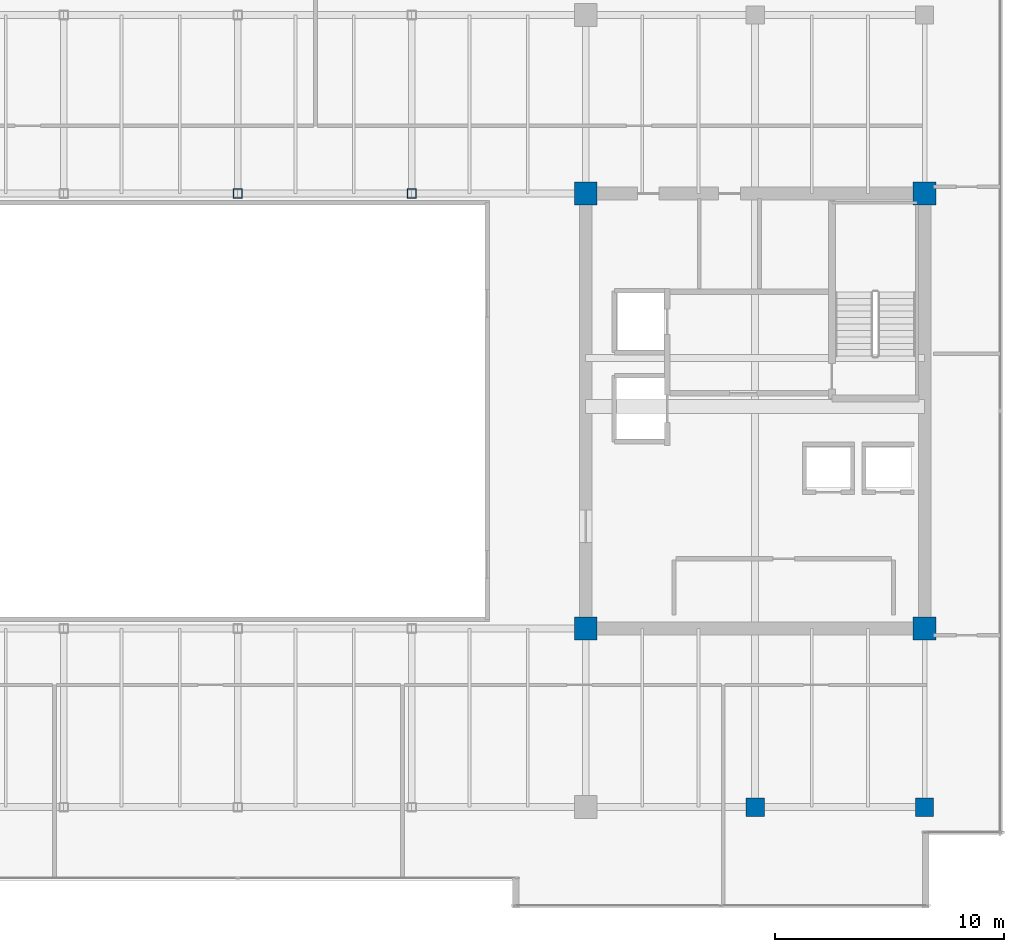
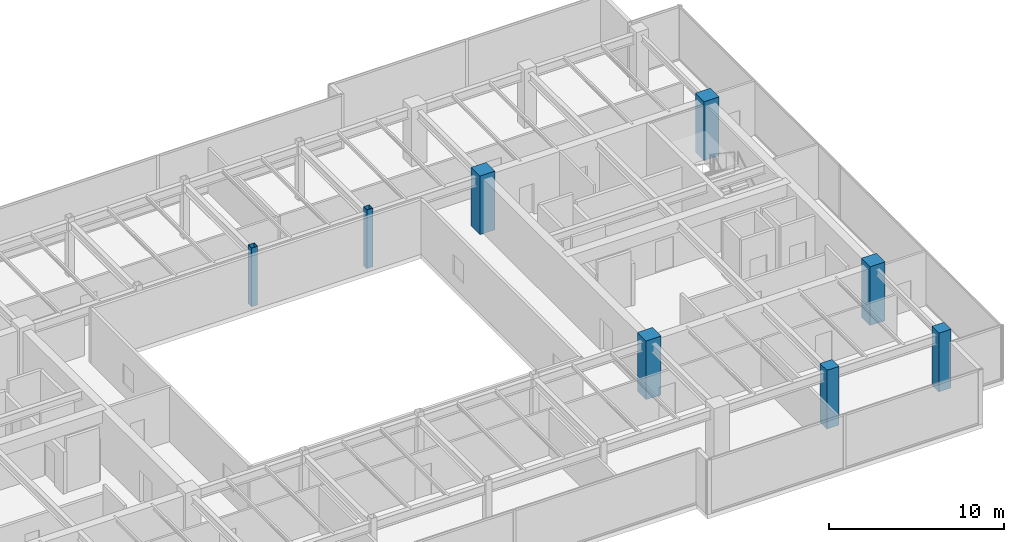
# One storey, part 2 of 33: 8 columns.
"""IFC4 building model written with IfcOpenShell, lengths in metres."""

import ifcopenshell
import ifcopenshell.guid

model = None  # the IFC model being written
_history = None  # IfcOwnerHistory: only IFC2X3 demands one
_inside = {}  # id of a spatial element -> (the spatial element, [elements in it])
_under = {}  # id of a project, library or spatial element -> (it, [spatial elements below it])
_declared = {}  # id of a project -> (the project, [libraries it declares])
_typed = {}  # id of a type object -> (the type object, [elements of that type])
_made_of = {}  # id of a material, layer set ... -> (it, [elements and type objects made of it])


def new_model(schema):
    """Start an empty IFC model of exactly this schema.

    Asked for "IFC4X3", IfcOpenShell would pick the latest addendum, in which some entities
    have other attributes; the version numbers below select the first issue.
    IFC2X3 requires an IfcOwnerHistory on every rooted entity: one is made here for all.
    """
    global model, _history
    if schema == "IFC4X3":
        model = ifcopenshell.file(schema_version=(4, 3, 0, 0))
    else:
        model = ifcopenshell.file(schema=schema)
    _inside.clear()
    _under.clear()
    _declared.clear()
    _typed.clear()
    _made_of.clear()
    _history = None
    if model.schema == "IFC2X3":
        org = make("IfcOrganization", Name="unknown")
        user = make(
            "IfcPersonAndOrganization",
            ThePerson=make("IfcPerson", FamilyName="unknown"),
            TheOrganization=org,
        )
        app = make(
            "IfcApplication",
            ApplicationDeveloper=org,
            Version="unknown",
            ApplicationFullName="unknown",
            ApplicationIdentifier="unknown",
        )
        _history = make(
            "IfcOwnerHistory",
            OwningUser=user,
            OwningApplication=app,
            ChangeAction="ADDED",
            CreationDate=0,
        )
    return model


def make(cls, **values):
    """One entity of the class cls with the attributes given. An attribute that is None is left unset."""
    return model.create_entity(
        cls, **{name: value for name, value in values.items() if value is not None}
    )


def rooted(cls, **values):
    """An entity with a GlobalId (a new one), such as an element, a storey or a relation."""
    return make(cls, GlobalId=ifcopenshell.guid.new(), OwnerHistory=_history, **values)


def si_unit(unit_type, name, prefix=None):
    """IfcSIUnit, for example si_unit("LENGTHUNIT", "METRE", prefix="MILLI")."""
    return make("IfcSIUnit", UnitType=unit_type, Prefix=prefix, Name=name)


def assignment(units):
    """IfcUnitAssignment: the units of a project."""
    return None if units is None else make("IfcUnitAssignment", Units=units)


def point(xyz):
    """IfcCartesianPoint."""
    return None if xyz is None else make("IfcCartesianPoint", Coordinates=xyz)


def direction(xyz):
    """IfcDirection."""
    return None if xyz is None else make("IfcDirection", DirectionRatios=xyz)


def frame(location, z_axis=None, x_axis=None):
    """IfcAxis2Placement3D, a coordinate frame: its origin and axes. An axis left out is left unset."""
    return make(
        "IfcAxis2Placement3D",
        Location=point(location),
        Axis=direction(z_axis),
        RefDirection=direction(x_axis),
    )


def frame_2d(location, x_axis=None):
    """IfcAxis2Placement2D, a coordinate frame in the plane: its origin and x axis."""
    return make(
        "IfcAxis2Placement2D", Location=point(location), RefDirection=direction(x_axis)
    )


def origin():
    """The frame at (0, 0, 0) with its axes left unset."""
    return frame((0.0, 0.0, 0.0))


def origin_2d():
    """The frame at (0, 0) in the plane with its x axis left unset."""
    return frame_2d((0.0, 0.0))


def place(relative_to, where):
    """IfcLocalPlacement: puts the frame where relative to a parent placement (None: the world)."""
    return make(
        "IfcLocalPlacement", PlacementRelTo=relative_to, RelativePlacement=where
    )


def context(
    kind, dimensions, precision=None, world=None, true_north=None, identifier=None
):
    """IfcGeometricRepresentationContext, for example the 3D "Model" context."""
    return make(
        "IfcGeometricRepresentationContext",
        ContextIdentifier=identifier,
        ContextType=kind,
        CoordinateSpaceDimension=dimensions,
        Precision=precision,
        WorldCoordinateSystem=world,
        TrueNorth=true_north,
    )


def subcontext(parent, identifier, kind, view, scale=None):
    """IfcGeometricRepresentationSubContext, for example "Body" below "Model"."""
    return make(
        "IfcGeometricRepresentationSubContext",
        ContextIdentifier=identifier,
        ContextType=kind,
        ParentContext=parent,
        TargetScale=scale,
        TargetView=view,
    )


def project(units=None, contexts=None):
    """IfcProject with its units and contexts."""
    return rooted(
        "IfcProject",
        Name="project",
        RepresentationContexts=contexts,
        UnitsInContext=assignment(units),
    )


def spatial(cls, under=None, at=None, **own):
    """A site, building, storey or space (cls), placed at a placement, below another one or the project."""
    s = rooted(cls, ObjectPlacement=at, **own)
    if under is not None:
        _under.setdefault(under.id(), (under, []))[1].append(s)
    return s


def profile(cls, at=None, kind="AREA", **sizes):
    """A parametric profile (cls). Its sizes go by their IFC names, for example OverallWidth=200.0."""
    return make(cls, ProfileType=kind, Position=at, **sizes)


def rectangle(**sizes):
    """IfcRectangleProfileDef."""
    return profile("IfcRectangleProfileDef", **sizes)


def hollow_rectangle(**sizes):
    """IfcRectangleHollowProfileDef."""
    return profile("IfcRectangleHollowProfileDef", **sizes)


def extrude(swept, where, along, depth):
    """IfcExtrudedAreaSolid: the profile swept, set in the frame where, extruded along a direction by depth."""
    return make(
        "IfcExtrudedAreaSolid",
        SweptArea=swept,
        Position=where,
        ExtrudedDirection=direction(along),
        Depth=depth,
    )


def shape(context_of_items, identifier, shape_type, items):
    """IfcShapeRepresentation: the items that make up one representation, for example the "Body"."""
    return make(
        "IfcShapeRepresentation",
        ContextOfItems=context_of_items,
        RepresentationIdentifier=identifier,
        RepresentationType=shape_type,
        Items=items,
    )


def source(mapping_origin, context_of_items, identifier, shape_type, items):
    """IfcRepresentationMap: a shape defined once, which mapped items show again and again."""
    return make(
        "IfcRepresentationMap",
        MappingOrigin=mapping_origin,
        MappedRepresentation=shape(context_of_items, identifier, shape_type, items),
    )


def transform(
    local_origin,
    x_axis=None,
    y_axis=None,
    z_axis=None,
    scale=None,
    scale2=None,
    scale3=None,
    uniform=True,
):
    """IfcCartesianTransformationOperator3D, or its non-uniform kind. x_axis, y_axis, z_axis: its Axis1, 2, 3."""
    if uniform:
        return make(
            "IfcCartesianTransformationOperator3D",
            Axis1=direction(x_axis),
            Axis2=direction(y_axis),
            LocalOrigin=point(local_origin),
            Scale=scale,
            Axis3=direction(z_axis),
        )
    return make(
        "IfcCartesianTransformationOperator3DnonUniform",
        Axis1=direction(x_axis),
        Axis2=direction(y_axis),
        LocalOrigin=point(local_origin),
        Scale=scale,
        Axis3=direction(z_axis),
        Scale2=scale2,
        Scale3=scale3,
    )


def mapped(mapping_source, mapping_target):
    """IfcMappedItem: shows the shape of a source again, moved by a transform."""
    return make(
        "IfcMappedItem", MappingSource=mapping_source, MappingTarget=mapping_target
    )


def material(Name=None, Category=None):
    """IfcMaterial."""
    return make("IfcMaterial", Name=Name, Category=Category)


def material_profile(
    of_material, cross_section, Name=None, Category=None, Priority=None
):
    """IfcMaterialProfile: a cross section and its material."""
    return make(
        "IfcMaterialProfile",
        Name=Name,
        Material=of_material,
        Profile=cross_section,
        Priority=Priority,
        Category=Category,
    )


def profile_set(profiles, Name=None, composite=None):
    """IfcMaterialProfileSet."""
    return make(
        "IfcMaterialProfileSet",
        Name=Name,
        MaterialProfiles=profiles,
        CompositeProfile=composite,
    )


def made_of(thing, what):
    """Note that an element or type object is made of a material, layer set ...; save() writes the relation."""
    if what is not None:
        _made_of.setdefault(what.id(), (what, []))[1].append(thing)
    return thing


def type_object(cls, material=None, **own):
    """A type object (cls), such as IfcWallType, which elements share."""
    return made_of(rooted(cls, **own), material)


def type_shapes(of_type, sources):
    """Give a type object the sources (RepresentationMaps) that its elements show as mapped items."""
    of_type.RepresentationMaps = sources


def element(
    cls,
    number,
    at=None,
    inside=None,
    cuts=None,
    type_object=None,
    material=None,
    context=None,
    identifier="Body",
    shape_type=None,
    held_by="IfcProductDefinitionShape",
    body=None,
    shapes=None,
    **own,
):
    """One element of the class cls, such as IfcWall. Its Tag is "e" and its number.

    at: its placement. inside: the storey or other place that contains it. cuts: it is an
    opening in that element (IfcRelVoidsElement). A single representation is given by context,
    identifier, shape_type and body (its items); several are given by shapes. held_by: the class
    of the entity that holds the representations. save() writes the other relations.
    """
    e = rooted(cls, Tag="e%d" % number, ObjectPlacement=at, **own)
    if body is not None:
        shapes = [shape(context, identifier, shape_type, body)]
    if shapes is not None:
        e.Representation = make(held_by, Representations=shapes)
    if inside is not None:
        _inside.setdefault(inside.id(), (inside, []))[1].append(e)
    if cuts is not None:
        rooted(
            "IfcRelVoidsElement", RelatingBuildingElement=cuts, RelatedOpeningElement=e
        )
    if type_object is not None:
        _typed.setdefault(type_object.id(), (type_object, []))[1].append(e)
    return made_of(e, material)


def aggregate(whole, parts):
    """IfcRelAggregates: a whole, such as a stair, and the parts it consists of."""
    return rooted("IfcRelAggregates", RelatingObject=whole, RelatedObjects=parts)


def save(model, path):
    """Write the relations noted so far, then the file.

    IfcRelAggregates (storeys below a building ...), IfcRelContainedInSpatialStructure (elements
    in a storey), IfcRelDefinesByType, IfcRelAssociatesMaterial and IfcRelDeclares: one each for
    every whole, place, type object, material and project.
    """
    for whole, parts in _under.values():
        aggregate(whole, parts)
    for where, things in _inside.values():
        rooted(
            "IfcRelContainedInSpatialStructure",
            RelatedElements=things,
            RelatingStructure=where,
        )
    for kind, things in _typed.values():
        rooted("IfcRelDefinesByType", RelatedObjects=things, RelatingType=kind)
    for what, things in _made_of.values():
        rooted("IfcRelAssociatesMaterial", RelatedObjects=things, RelatingMaterial=what)
    for by, libraries in _declared.values():
        rooted("IfcRelDeclares", RelatingContext=by, RelatedDefinitions=libraries)
    model.write(path)


model = new_model("IFC4")

# Units and contexts
model_context = context("Model", 3, precision=1e-05, world=origin(), true_north=direction((0.0, 1.0)))
body_context = subcontext(model_context, "Body", "Model", "MODEL_VIEW")
ifc_project = project(units=[si_unit("LENGTHUNIT", "METRE"), si_unit("AREAUNIT", "SQUARE_METRE"), si_unit("VOLUMEUNIT", "CUBIC_METRE"), si_unit("PLANEANGLEUNIT", "RADIAN"), si_unit("MASSUNIT", "GRAM", prefix="KILO")], contexts=[model_context])

# Site, building, storey
site_placement = place(None, origin())
site = spatial("IfcSite", under=ifc_project, at=site_placement, CompositionType="ELEMENT")
building_placement = place(site_placement, origin())
building = spatial("IfcBuilding", under=site, at=building_placement, Name="Haelvirn Gate Laboratories", CompositionType="ELEMENT")
storey_placement = place(building_placement, frame((0.0, 0.0, 279.300048828125)))
storey = spatial("IfcBuildingStorey", under=building, at=storey_placement, Name="L67", CompositionType="ELEMENT", Elevation=279.300048828125)

# Columns
ifc_material_1 = material(Name="Concrete C60/75", Category="concrete")
ifc_material_profile_1 = material_profile(ifc_material_1, rectangle(XDim=1.0, YDim=1.0, at=origin_2d()), Name="RC-1000x1000")
ifc_profile_set_1 = profile_set([ifc_material_profile_1], Name="Concrete C60/75")
column_type_1 = type_object("IfcColumnType", Name="COL-RC-1000", PredefinedType="COLUMN", material=ifc_profile_set_1)
shared_shape_1 = source(origin(), body_context, "Body", "SweptSolid", [
    extrude(rectangle(XDim=1.0, YDim=1.0, at=origin_2d()), origin(), (0.0, 0.0, 1.0), 4.099853515625),
])
type_shapes(column_type_1, [shared_shape_1])
for number, where, z_axis, x_axis, name in (
    (1, (52.60009765625, 14.800048828125, 0.0), (0.0, 0.0, 1.0), (1.0, 0.0, 0.0), "L67 Column 8C"),
    (2, (67.39990234375, 14.800048828125, 0.0), (0.0, 0.0, 1.0), (1.0, 0.0, 0.0), "L67 Column 10C"),
    (3, (52.60009765625, 33.800048828125, 0.0), (0.0, 0.0, 1.0), (1.0, 0.0, 0.0), "L67 Column 8F"),
    (4, (67.39990234375, 33.800048828125, 0.0), (0.0, 0.0, 1.0), (1.0, 0.0, 0.0), "L67 Column 10F"),
):
    element("IfcColumn", number, at=place(storey_placement, frame(where, z_axis=z_axis, x_axis=x_axis)), inside=storey, type_object=column_type_1, Name=name, PredefinedType="COLUMN", context=body_context, shape_type="MappedRepresentation", body=[
        mapped(shared_shape_1, transform((0.0, 0.0, 0.0), scale=1.0)),
    ])
ifc_material_2 = material(Name="Concrete C50/60", Category="concrete")
ifc_material_profile_2 = material_profile(ifc_material_2, rectangle(XDim=0.800048828125, YDim=0.800048828125, at=origin_2d()), Name="RC-800x800")
ifc_profile_set_2 = profile_set([ifc_material_profile_2], Name="Concrete C50/60")
column_type_2 = type_object("IfcColumnType", Name="COL-RC-800", PredefinedType="COLUMN", material=ifc_profile_set_2)
shared_shape_2 = source(origin(), body_context, "Body", "SweptSolid", [
    extrude(rectangle(XDim=0.800048828125, YDim=0.800048828125, at=origin_2d()), origin(), (0.0, 0.0, 1.0), 4.099853515625),
])
type_shapes(column_type_2, [shared_shape_2])
for number, where, z_axis, x_axis, name in (
    (5, (60.0, 7.0, 0.0), (0.0, 0.0, 1.0), (1.0, 0.0, 0.0), "L67 Column 9B"),
    (6, (67.39990234375, 7.0, 0.0), (0.0, 0.0, 1.0), (1.0, 0.0, 0.0), "L67 Column 10B"),
):
    element("IfcColumn", number, at=place(storey_placement, frame(where, z_axis=z_axis, x_axis=x_axis)), inside=storey, type_object=column_type_2, Name=name, PredefinedType="COLUMN", context=body_context, shape_type="MappedRepresentation", body=[
        mapped(shared_shape_2, transform((0.0, 0.0, 0.0), scale=1.0)),
    ])
ifc_material_3 = material(Name="Steel SM355", Category="steel")
ifc_material_profile_3 = material_profile(ifc_material_3, hollow_rectangle(XDim=0.39990234375, YDim=0.39990234375, WallThickness=0.01904296875, at=origin_2d()), Name="BOX-400x400x19")
ifc_profile_set_3 = profile_set([ifc_material_profile_3], Name="Steel SM355")
column_type_3 = type_object("IfcColumnType", Name="COL-BOX-400", PredefinedType="COLUMN", material=ifc_profile_set_3)
shared_shape_3 = source(origin(), body_context, "Body", "SweptSolid", [
    extrude(hollow_rectangle(XDim=0.39990234375, YDim=0.39990234375, WallThickness=0.01904296875, at=origin_2d()), origin(), (0.0, 0.0, 1.0), 4.099853515625),
])
type_shapes(column_type_3, [shared_shape_3])
for number, where, z_axis, x_axis, name in (
    (7, (37.39990234375, 33.800048828125, 0.0), (0.0, 0.0, 1.0), (1.0, 0.0, 0.0), "L67 Column 6F"),
    (8, (45.0, 33.800048828125, 0.0), (0.0, 0.0, 1.0), (1.0, 0.0, 0.0), "L67 Column 7F"),
):
    element("IfcColumn", number, at=place(storey_placement, frame(where, z_axis=z_axis, x_axis=x_axis)), inside=storey, type_object=column_type_3, Name=name, PredefinedType="COLUMN", context=body_context, shape_type="MappedRepresentation", body=[
        mapped(shared_shape_3, transform((0.0, 0.0, 0.0), scale=1.0)),
    ])

save(model, "model.ifc")
